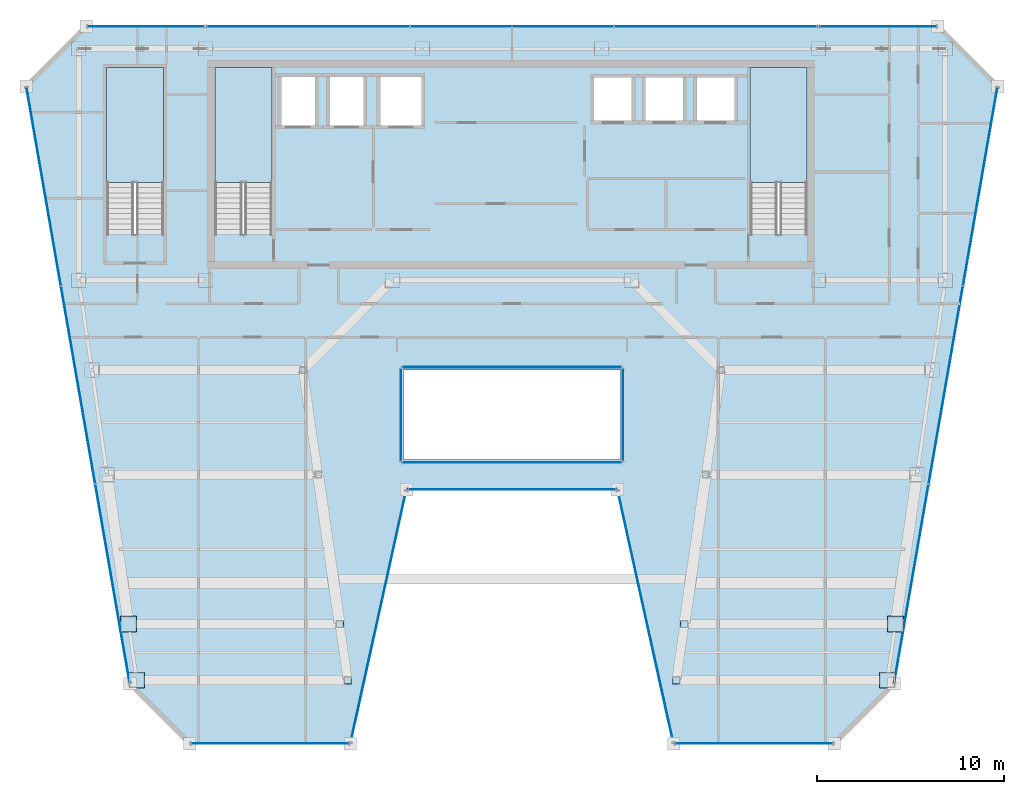
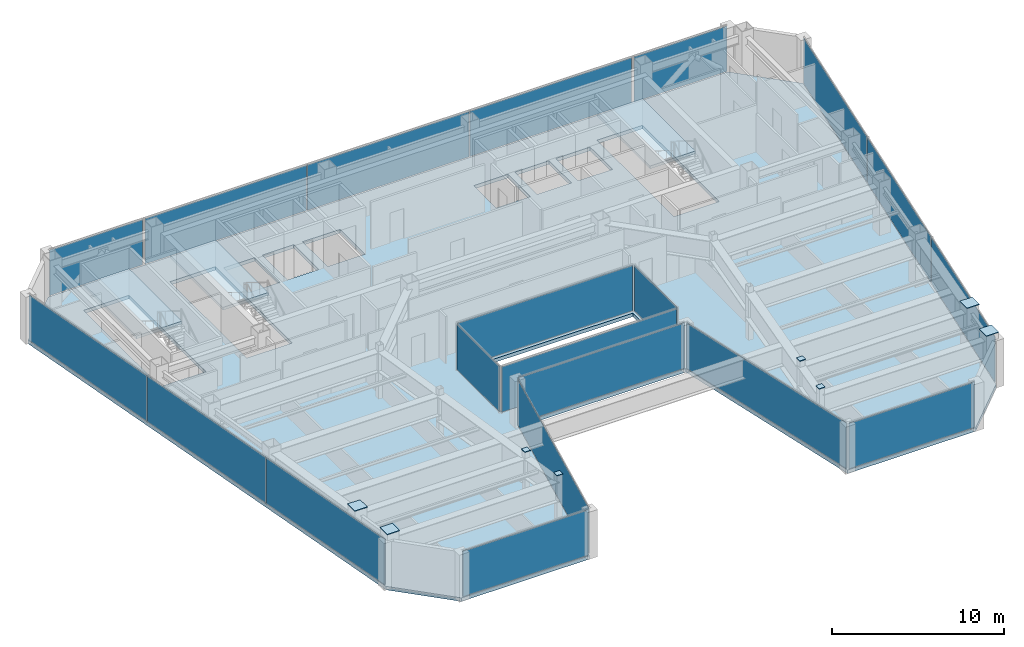
# One storey, part 26 of 35: 28 plates, 4 slabs, 17 elements without a shape of their own.
"""IFC4 building model written with IfcOpenShell, lengths in metres."""

from ifc_helpers import new_model, si_unit, direction, frame, origin, origin_2d, place, context, subcontext, project, spatial, polyline, rectangle, outline, extrude, material, layer, layer_set, type_object, element, aggregate, save


model = new_model("IFC4")

# Units and contexts
model_context = context("Model", 3, precision=1e-05, world=origin(), true_north=direction((0.0, 1.0)))
body_context = subcontext(model_context, "Body", "Model", "MODEL_VIEW")
ifc_project = project(units=[si_unit("LENGTHUNIT", "METRE"), si_unit("AREAUNIT", "SQUARE_METRE"), si_unit("VOLUMEUNIT", "CUBIC_METRE"), si_unit("PLANEANGLEUNIT", "RADIAN"), si_unit("MASSUNIT", "GRAM", prefix="KILO")], contexts=[model_context])

# Site, building, storey
site_placement = place(None, origin())
site = spatial("IfcSite", under=ifc_project, at=site_placement, CompositionType="ELEMENT")
building_placement = place(site_placement, origin())
building = spatial("IfcBuilding", under=site, at=building_placement, Name="Saevonmaru Cultural Tower", CompositionType="ELEMENT")
storey_placement = place(building_placement, frame((0.0, 0.0, 249.60009765625)))
storey = spatial("IfcBuildingStorey", under=building, at=storey_placement, Name="L58", CompositionType="ELEMENT", Elevation=249.60009765625)

# Plates
ifc_material_1 = material(Name="Steel HSA600 (600 MPa)", Category="steel")
ifc_layer_1 = layer(ifc_material_1, 0.0400390625, Name="Steel HSA600 (600 MPa)")
ifc_layer_set_1 = layer_set([ifc_layer_1], Name="Steel HSA600 (600 MPa)")
plate_type_1 = type_object("IfcPlateType", Name="PL-CAP-350", PredefinedType="USERDEFINED", material=ifc_layer_set_1)
for number, where, z_axis, x_axis, name in (
    (1, (38.7939453125, 21.0, 3.794921875), (0.0, 0.0, 1.0), (1.0, 0.0, 0.0), "Column head cap plate TC-EI-Y210 L58"),
    (2, (39.22802734375, 24.0, 3.794921875), (0.0, 0.0, 1.0), (1.0, 0.0, 0.0), "Column head cap plate TC-EI-Y240 L58"),
    (3, (21.2060546875, 21.0, 3.794921875), (0.0, 0.0, 1.0), (1.0, 0.0, 0.0), "Column head cap plate TC-WI-Y210 L58"),
    (4, (20.77197265625, 24.0, 3.794921875), (0.0, 0.0, 1.0), (1.0, 0.0, 0.0), "Column head cap plate TC-WI-Y240 L58"),
):
    element("IfcPlate", number, at=place(storey_placement, frame(where, z_axis=z_axis, x_axis=x_axis)), inside=storey, type_object=plate_type_1, Name=name, ObjectType="CAP_PLATE", PredefinedType="USERDEFINED", context=body_context, shape_type="SweptSolid", body=[
        extrude(rectangle(XDim=0.389892578125, YDim=0.389892578125, at=origin_2d()), origin(), (0.0, 0.0, 1.0), 0.0400390625),
    ])
ifc_layer_2 = layer(ifc_material_1, 0.0400390625, Name="Steel HSA600 (600 MPa)")
ifc_layer_set_2 = layer_set([ifc_layer_2], Name="Steel HSA600 (600 MPa)")
plate_type_2 = type_object("IfcPlateType", Name="PL-CAP-800", PredefinedType="USERDEFINED", material=ifc_layer_set_2)
for number, where, z_axis, x_axis, name in (
    (5, (50.093994140625, 21.0, 3.794921875), (0.0, 0.0, 1.0), (1.0, 0.0, 0.0), "Column head cap plate TC-EO-Y210 L58"),
    (6, (50.528076171875, 24.0, 3.794921875), (0.0, 0.0, 1.0), (1.0, 0.0, 0.0), "Column head cap plate TC-EO-Y240 L58"),
    (7, (9.906005859375, 21.0, 3.794921875), (0.0, 0.0, 1.0), (1.0, 0.0, 0.0), "Column head cap plate TC-WO-Y210 L58"),
    (8, (9.471923828125, 24.0, 3.794921875), (0.0, 0.0, 1.0), (1.0, 0.0, 0.0), "Column head cap plate TC-WO-Y240 L58"),
):
    element("IfcPlate", number, at=place(storey_placement, frame(where, z_axis=z_axis, x_axis=x_axis)), inside=storey, type_object=plate_type_2, Name=name, ObjectType="CAP_PLATE", PredefinedType="USERDEFINED", context=body_context, shape_type="SweptSolid", body=[
        extrude(rectangle(XDim=0.840087890625, YDim=0.840087890625, at=origin_2d()), origin(), (0.0, 0.0, 1.0), 0.0400390625),
    ])

# Curtain wall, plate
ifc_material_2 = material(Name="Satin Bronze Anodised Aluminium", Category="aluminium")
curtain_wall_type_1 = type_object("IfcCurtainWallType", Name="CW-ATR-GLZ", PredefinedType="NOTDEFINED", material=ifc_material_2)
curtain_wall_1_placement = place(storey_placement, origin())
curtain_wall_1 = element("IfcCurtainWall", 9, at=curtain_wall_1_placement, inside=storey, type_object=curtain_wall_type_1, Name="L58 Vertical Atrium Glazed Smoke Screen 1", PredefinedType="NOTDEFINED")
ifc_material_3 = material(Name="Fire-Rated Laminated Atrium Glass", Category="glass")
ifc_layer_3 = layer(ifc_material_3, 0.031982421875, Name="Fire-Rated Laminated Atrium Glass")
ifc_layer_set_3 = layer_set([ifc_layer_3], Name="Fire-Rated Laminated Atrium Glass")
plate_type_3 = type_object("IfcPlateType", Name="PN-GLZ-ATR-INT", PredefinedType="CURTAIN_PANEL", material=ifc_layer_set_3)
plate_1_placement = place(storey_placement, frame((30.0, 32.64990234375, 0.06689453125), z_axis=(0.0, 0.0, 1.0), x_axis=(1.0, 0.0, 0.0)))
plate_1 = element("IfcPlate", 10, at=plate_1_placement, type_object=plate_type_3, Name="CW-ATR-L58-1 panel 1.1", PredefinedType="CURTAIN_PANEL", context=body_context, shape_type="SweptSolid", body=[
    extrude(rectangle(XDim=11.7109375, YDim=0.031982421875, at=origin_2d()), origin(), (0.0, 0.0, 1.0), 3.216064453125),
])
aggregate(curtain_wall_1, [plate_1])

curtain_wall_2_placement = place(storey_placement, origin())
curtain_wall_2 = element("IfcCurtainWall", 11, at=curtain_wall_2_placement, inside=storey, type_object=curtain_wall_type_1, Name="L58 Vertical Atrium Glazed Smoke Screen 2", PredefinedType="NOTDEFINED")
plate_2_placement = place(storey_placement, frame((35.949951171875, 35.199951171875, 0.06689453125), z_axis=(0.0, 0.0, 1.0), x_axis=(0.0, 1.0, 0.0)))
plate_2 = element("IfcPlate", 12, at=plate_2_placement, type_object=plate_type_3, Name="CW-ATR-L58-2 panel 1.1", PredefinedType="CURTAIN_PANEL", context=body_context, shape_type="SweptSolid", body=[
    extrude(rectangle(XDim=4.910888671875, YDim=0.031982421875, at=origin_2d()), origin(), (0.0, 0.0, 1.0), 3.216064453125),
])
aggregate(curtain_wall_2, [plate_2])

curtain_wall_3_placement = place(storey_placement, origin())
curtain_wall_3 = element("IfcCurtainWall", 13, at=curtain_wall_3_placement, inside=storey, type_object=curtain_wall_type_1, Name="L58 Vertical Atrium Glazed Smoke Screen 3", PredefinedType="NOTDEFINED")
plate_3_placement = place(storey_placement, frame((30.0, 37.75, 0.06689453125), z_axis=(0.0, 0.0, 1.0), x_axis=(-1.0, 0.0, 0.0)))
plate_3 = element("IfcPlate", 14, at=plate_3_placement, type_object=plate_type_3, Name="CW-ATR-L58-3 panel 1.1", PredefinedType="CURTAIN_PANEL", context=body_context, shape_type="SweptSolid", body=[
    extrude(rectangle(XDim=11.7109375, YDim=0.031982421875, at=origin_2d()), origin(), (0.0, 0.0, 1.0), 3.216064453125),
])
aggregate(curtain_wall_3, [plate_3])

curtain_wall_4_placement = place(storey_placement, origin())
curtain_wall_4 = element("IfcCurtainWall", 15, at=curtain_wall_4_placement, inside=storey, type_object=curtain_wall_type_1, Name="L58 Vertical Atrium Glazed Smoke Screen 4", PredefinedType="NOTDEFINED")
plate_4_placement = place(storey_placement, frame((24.050048828125, 35.199951171875, 0.06689453125), z_axis=(0.0, 0.0, 1.0), x_axis=(0.0, -1.0, 0.0)))
plate_4 = element("IfcPlate", 16, at=plate_4_placement, type_object=plate_type_3, Name="CW-ATR-L58-4 panel 1.1", PredefinedType="CURTAIN_PANEL", context=body_context, shape_type="SweptSolid", body=[
    extrude(rectangle(XDim=4.910888671875, YDim=0.031982421875, at=origin_2d()), origin(), (0.0, 0.0, 1.0), 3.216064453125),
])
aggregate(curtain_wall_4, [plate_4])

curtain_wall_type_2 = type_object("IfcCurtainWallType", Name="CW-TYP-B", PredefinedType="NOTDEFINED", material=ifc_material_2)
curtain_wall_5_placement = place(storey_placement, origin())
curtain_wall_5 = element("IfcCurtainWall", 17, at=curtain_wall_5_placement, inside=storey, type_object=curtain_wall_type_2, Name="L58 Unitised Curtain Wall E2", PredefinedType="NOTDEFINED")
ifc_material_4 = material(Name="Triple Silver Low-E Insulating Glass", Category="glass")
ifc_layer_4 = layer(ifc_material_4, 0.035888671875, Name="Triple Silver Low-E Insulating Glass")
ifc_layer_set_4 = layer_set([ifc_layer_4], Name="Triple Silver Low-E Insulating Glass")
plate_type_4 = type_object("IfcPlateType", Name="PN-GLZ-IGU", PredefinedType="CURTAIN_PANEL", material=ifc_layer_set_4)
plate_5_placement = place(storey_placement, frame((17.046630859375, 17.60009765625, 0.06689453125), z_axis=(0.0, 0.0, 1.0), x_axis=(1.0, 0.0, 0.0)))
plate_5 = element("IfcPlate", 18, at=plate_5_placement, type_object=plate_type_4, Name="CW-TW-L58-E2 panel 1.1", PredefinedType="CURTAIN_PANEL", context=body_context, shape_type="SweptSolid", body=[
    extrude(rectangle(XDim=8.410888671875, YDim=0.035888671875, at=origin_2d()), origin(), (0.0, 0.0, 1.0), 3.216064453125),
])
aggregate(curtain_wall_5, [plate_5])

curtain_wall_6_placement = place(storey_placement, origin())
curtain_wall_6 = element("IfcCurtainWall", 19, at=curtain_wall_6_placement, inside=storey, type_object=curtain_wall_type_2, Name="L58 Unitised Curtain Wall E3", PredefinedType="NOTDEFINED")
plate_6_placement = place(storey_placement, frame((22.8466796875, 24.39990234375, 0.06689453125), z_axis=(0.0, 0.0, 1.0), x_axis=(0.215413319953, 0.976522965212, 0.0)))
plate_6 = element("IfcPlate", 20, at=plate_6_placement, type_object=plate_type_4, Name="CW-TW-L58-E3 panel 1.1", PredefinedType="CURTAIN_PANEL", context=body_context, shape_type="SweptSolid", body=[
    extrude(rectangle(XDim=13.738037109375, YDim=0.035888671875, at=origin_2d()), origin(), (0.0, 0.0, 1.0), 3.216064453125),
])
aggregate(curtain_wall_6, [plate_6])

curtain_wall_7_placement = place(storey_placement, origin())
curtain_wall_7 = element("IfcCurtainWall", 21, at=curtain_wall_7_placement, inside=storey, type_object=curtain_wall_type_2, Name="L58 Unitised Curtain Wall E4", PredefinedType="NOTDEFINED")
plate_7_placement = place(storey_placement, frame((30.0, 31.199951171875, 0.06689453125), z_axis=(0.0, 0.0, 1.0), x_axis=(1.0, 0.0, 0.0)))
plate_7 = element("IfcPlate", 22, at=plate_7_placement, type_object=plate_type_4, Name="CW-TW-L58-E4 panel 1.1", PredefinedType="CURTAIN_PANEL", context=body_context, shape_type="SweptSolid", body=[
    extrude(rectangle(XDim=11.11767578125, YDim=0.035888671875, at=origin_2d()), origin(), (0.0, 0.0, 1.0), 3.216064453125),
])
aggregate(curtain_wall_7, [plate_7])

curtain_wall_8_placement = place(storey_placement, origin())
curtain_wall_8 = element("IfcCurtainWall", 23, at=curtain_wall_8_placement, inside=storey, type_object=curtain_wall_type_2, Name="L58 Unitised Curtain Wall E5", PredefinedType="NOTDEFINED")
plate_8_placement = place(storey_placement, frame((37.1533203125, 24.39990234375, 0.06689453125), z_axis=(0.0, 0.0, 1.0), x_axis=(0.215413319953, -0.976522965212, 0.0)))
plate_8 = element("IfcPlate", 24, at=plate_8_placement, type_object=plate_type_4, Name="CW-TW-L58-E5 panel 1.1", PredefinedType="CURTAIN_PANEL", context=body_context, shape_type="SweptSolid", body=[
    extrude(rectangle(XDim=13.738037109375, YDim=0.035888671875, at=origin_2d()), origin(), (0.0, 0.0, 1.0), 3.216064453125),
])
aggregate(curtain_wall_8, [plate_8])

curtain_wall_9_placement = place(storey_placement, origin())
curtain_wall_9 = element("IfcCurtainWall", 25, at=curtain_wall_9_placement, inside=storey, type_object=curtain_wall_type_2, Name="L58 Unitised Curtain Wall E6", PredefinedType="NOTDEFINED")
plate_9_placement = place(storey_placement, frame((42.953369140625, 17.60009765625, 0.06689453125), z_axis=(0.0, 0.0, 1.0), x_axis=(1.0, 0.0, 0.0)))
plate_9 = element("IfcPlate", 26, at=plate_9_placement, type_object=plate_type_4, Name="CW-TW-L58-E6 panel 1.1", PredefinedType="CURTAIN_PANEL", context=body_context, shape_type="SweptSolid", body=[
    extrude(rectangle(XDim=8.410888671875, YDim=0.035888671875, at=origin_2d()), origin(), (0.0, 0.0, 1.0), 3.216064453125),
])
aggregate(curtain_wall_9, [plate_9])

# Curtain wall, plates
curtain_wall_10_placement = place(storey_placement, origin())
curtain_wall_10 = element("IfcCurtainWall", 27, at=curtain_wall_10_placement, inside=storey, type_object=curtain_wall_type_2, Name="L58 Unitised Curtain Wall E8", PredefinedType="NOTDEFINED")
plate_10_placement = place(storey_placement, frame((51.384521484375, 26.1728515625, 0.06689453125), z_axis=(0.0, 0.0, 1.0), x_axis=(0.170790369887, 0.985307388359, 0.0)))
plate_10 = element("IfcPlate", 28, at=plate_10_placement, type_object=plate_type_4, Name="CW-TW-L58-E8 panel 1.1", PredefinedType="CURTAIN_PANEL", context=body_context, shape_type="SweptSolid", body=[
    extrude(rectangle(XDim=10.716796875, YDim=0.035888671875, at=origin_2d()), origin(), (0.0, 0.0, 1.0), 3.216064453125),
])
plate_11_placement = place(storey_placement, frame((53.2265625, 36.800048828125, 0.06689453125), z_axis=(0.0, 0.0, 1.0), x_axis=(0.170790369887, 0.985307388359, 0.0)))
plate_11 = element("IfcPlate", 29, at=plate_11_placement, type_object=plate_type_4, Name="CW-TW-L58-E8 panel 2.1", PredefinedType="CURTAIN_PANEL", context=body_context, shape_type="SweptSolid", body=[
    extrude(rectangle(XDim=10.716796875, YDim=0.035888671875, at=origin_2d()), origin(), (0.0, 0.0, 1.0), 3.216064453125),
])
plate_12_placement = place(storey_placement, frame((55.06884765625, 47.42724609375, 0.06689453125), z_axis=(0.0, 0.0, 1.0), x_axis=(0.170790369887, 0.985307388359, 0.0)))
plate_12 = element("IfcPlate", 30, at=plate_12_placement, type_object=plate_type_4, Name="CW-TW-L58-E8 panel 3.1", PredefinedType="CURTAIN_PANEL", context=body_context, shape_type="SweptSolid", body=[
    extrude(rectangle(XDim=10.716796875, YDim=0.035888671875, at=origin_2d()), origin(), (0.0, 0.0, 1.0), 3.216064453125),
])
aggregate(curtain_wall_10, [plate_10, plate_11, plate_12])

curtain_wall_11_placement = place(storey_placement, origin())
curtain_wall_11 = element("IfcCurtainWall", 31, at=curtain_wall_11_placement, inside=storey, type_object=curtain_wall_type_2, Name="L58 North Spine Unitised Curtain Wall E10B", PredefinedType="NOTDEFINED")
plate_13_placement = place(storey_placement, frame((40.893310546875, 56.0, 0.06689453125), z_axis=(0.0, 0.0, 1.0), x_axis=(-1.0, 0.0, 0.0)))
plate_13 = element("IfcPlate", 32, at=plate_13_placement, type_object=plate_type_4, Name="CW-TW-L58-E10B panel 1.1", PredefinedType="CURTAIN_PANEL", context=body_context, shape_type="SweptSolid", body=[
    extrude(rectangle(XDim=10.82421875, YDim=0.035888671875, at=origin_2d()), origin(), (0.0, 0.0, 1.0), 3.216064453125),
])
plate_14_placement = place(storey_placement, frame((30.0, 56.0, 0.06689453125), z_axis=(0.0, 0.0, 1.0), x_axis=(-1.0, 0.0, 0.0)))
plate_14 = element("IfcPlate", 33, at=plate_14_placement, type_object=plate_type_4, Name="CW-TW-L58-E10B panel 2.1", PredefinedType="CURTAIN_PANEL", context=body_context, shape_type="SweptSolid", body=[
    extrude(rectangle(XDim=10.82421875, YDim=0.035888671875, at=origin_2d()), origin(), (0.0, 0.0, 1.0), 3.216064453125),
])
plate_15_placement = place(storey_placement, frame((19.106689453125, 56.0, 0.06689453125), z_axis=(0.0, 0.0, 1.0), x_axis=(-1.0, 0.0, 0.0)))
plate_15 = element("IfcPlate", 34, at=plate_15_placement, type_object=plate_type_4, Name="CW-TW-L58-E10B panel 3.1", PredefinedType="CURTAIN_PANEL", context=body_context, shape_type="SweptSolid", body=[
    extrude(rectangle(XDim=10.82421875, YDim=0.035888671875, at=origin_2d()), origin(), (0.0, 0.0, 1.0), 3.216064453125),
])
aggregate(curtain_wall_11, [plate_13, plate_14, plate_15])

curtain_wall_12_placement = place(storey_placement, origin())
curtain_wall_12 = element("IfcCurtainWall", 35, at=curtain_wall_12_placement, inside=storey, type_object=curtain_wall_type_2, Name="L58 Unitised Curtain Wall E12", PredefinedType="NOTDEFINED")
plate_16_placement = place(storey_placement, frame((4.93115234375, 47.42724609375, 0.06689453125), z_axis=(0.0, 0.0, 1.0), x_axis=(0.170790369887, -0.985307388359, 0.0)))
plate_16 = element("IfcPlate", 36, at=plate_16_placement, type_object=plate_type_4, Name="CW-TW-L58-E12 panel 1.1", PredefinedType="CURTAIN_PANEL", context=body_context, shape_type="SweptSolid", body=[
    extrude(rectangle(XDim=10.716796875, YDim=0.035888671875, at=origin_2d()), origin(), (0.0, 0.0, 1.0), 3.216064453125),
])
plate_17_placement = place(storey_placement, frame((6.7734375, 36.800048828125, 0.06689453125), z_axis=(0.0, 0.0, 1.0), x_axis=(0.170790369887, -0.985307388359, 0.0)))
plate_17 = element("IfcPlate", 37, at=plate_17_placement, type_object=plate_type_4, Name="CW-TW-L58-E12 panel 2.1", PredefinedType="CURTAIN_PANEL", context=body_context, shape_type="SweptSolid", body=[
    extrude(rectangle(XDim=10.716796875, YDim=0.035888671875, at=origin_2d()), origin(), (0.0, 0.0, 1.0), 3.216064453125),
])
plate_18_placement = place(storey_placement, frame((8.615478515625, 26.1728515625, 0.06689453125), z_axis=(0.0, 0.0, 1.0), x_axis=(0.170790369887, -0.985307388359, 0.0)))
plate_18 = element("IfcPlate", 38, at=plate_18_placement, type_object=plate_type_4, Name="CW-TW-L58-E12 panel 3.1", PredefinedType="CURTAIN_PANEL", context=body_context, shape_type="SweptSolid", body=[
    extrude(rectangle(XDim=10.716796875, YDim=0.035888671875, at=origin_2d()), origin(), (0.0, 0.0, 1.0), 3.216064453125),
])
aggregate(curtain_wall_12, [plate_16, plate_17, plate_18])

# Curtain wall, plate
curtain_wall_13_placement = place(storey_placement, origin())
curtain_wall_13 = element("IfcCurtainWall", 39, at=curtain_wall_13_placement, inside=storey, type_object=curtain_wall_type_2, Name="L58 East Braced Bay Spandrel Curtain Wall E10A", PredefinedType="NOTDEFINED")
ifc_material_5 = material(Name="Insulated Satin Bronze Aluminium Spandrel Panel", Category="aluminium")
ifc_layer_5 = layer(ifc_material_5, 0.0400390625, Name="Insulated Satin Bronze Aluminium Spandrel Panel")
ifc_layer_set_5 = layer_set([ifc_layer_5], Name="Insulated Satin Bronze Aluminium Spandrel Panel")
plate_type_5 = type_object("IfcPlateType", Name="PN-SPANDREL-BRONZE", PredefinedType="CURTAIN_PANEL", material=ifc_layer_set_5)
plate_19_placement = place(storey_placement, frame((49.60009765625, 56.0, 0.06689453125), z_axis=(0.0, 0.0, 1.0), x_axis=(-1.0, 0.0, 0.0)))
plate_19 = element("IfcPlate", 40, at=plate_19_placement, type_object=plate_type_5, Name="CW-TW-L58-E10A panel 1.1", PredefinedType="CURTAIN_PANEL", context=body_context, shape_type="SweptSolid", body=[
    extrude(rectangle(XDim=6.2109375, YDim=0.035888671875, at=origin_2d()), origin(), (0.0, 0.0, 1.0), 3.216064453125),
])
aggregate(curtain_wall_13, [plate_19])

curtain_wall_14_placement = place(storey_placement, origin())
curtain_wall_14 = element("IfcCurtainWall", 41, at=curtain_wall_14_placement, inside=storey, type_object=curtain_wall_type_2, Name="L58 West Braced Bay Spandrel Curtain Wall E10C", PredefinedType="NOTDEFINED")
plate_20_placement = place(storey_placement, frame((10.39990234375, 56.0, 0.06689453125), z_axis=(0.0, 0.0, 1.0), x_axis=(-1.0, 0.0, 0.0)))
plate_20 = element("IfcPlate", 42, at=plate_20_placement, type_object=plate_type_5, Name="CW-TW-L58-E10C panel 1.1", PredefinedType="CURTAIN_PANEL", context=body_context, shape_type="SweptSolid", body=[
    extrude(rectangle(XDim=6.2109375, YDim=0.035888671875, at=origin_2d()), origin(), (0.0, 0.0, 1.0), 3.216064453125),
])
aggregate(curtain_wall_14, [plate_20])

# Slab
ifc_material_6 = material(Name="Concrete C40/50", Category="concrete")
ifc_layer_6 = layer(ifc_material_6, 0.25, Name="Concrete C40/50")
ifc_layer_set_6 = layer_set([ifc_layer_6], Name="Concrete C40/50")
slab_type_1 = type_object("IfcSlabType", Name="SL-FLR-250", PredefinedType="FLOOR", material=ifc_layer_set_6)
slab_1_placement = place(storey_placement, frame((0.0, 0.0, -0.25)))
element("IfcSlab", 43, at=slab_1_placement, inside=storey, type_object=slab_type_1, Name="L58 Tower Structural Floor Slab", PredefinedType="FLOOR", context=body_context, shape_type="SweptSolid", body=[
    extrude(outline(polyline([(9.546630859375, 20.800048828125), (12.74658203125, 17.60009765625), (21.3466796875, 17.60009765625), (24.3466796875, 31.199951171875), (35.6533203125, 31.199951171875), (38.6533203125, 17.60009765625), (47.25341796875, 17.60009765625), (50.453369140625, 20.800048828125), (56.0, 52.800048828125), (52.800048828125, 56.0), (7.199951171875, 56.0), (4.0, 52.800048828125), (9.546630859375, 20.800048828125)]), holes=[polyline([(45.800048828125, 44.875), (42.75, 44.875), (42.75, 53.800048828125), (45.800048828125, 53.800048828125), (45.800048828125, 44.875)]), polyline([(39.75, 50.800048828125), (39.75, 53.39990234375), (42.050048828125, 53.39990234375), (42.050048828125, 50.800048828125), (39.75, 50.800048828125)]), polyline([(37.0, 50.800048828125), (37.0, 53.39990234375), (39.300048828125, 53.39990234375), (39.300048828125, 50.800048828125), (37.0, 50.800048828125)]), polyline([(36.550048828125, 50.800048828125), (34.25, 50.800048828125), (34.25, 53.39990234375), (36.550048828125, 53.39990234375), (36.550048828125, 50.800048828125)]), polyline([(35.800048828125, 32.800048828125), (24.199951171875, 32.800048828125), (24.199951171875, 37.60009765625), (35.800048828125, 37.60009765625), (35.800048828125, 32.800048828125)]), polyline([(25.300048828125, 50.550048828125), (22.800048828125, 50.550048828125), (22.800048828125, 53.449951171875), (25.300048828125, 53.449951171875), (25.300048828125, 50.550048828125)]), polyline([(22.199951171875, 50.550048828125), (20.10009765625, 50.550048828125), (20.10009765625, 53.449951171875), (22.199951171875, 53.449951171875), (22.199951171875, 50.550048828125)]), polyline([(17.5, 50.550048828125), (17.5, 53.449951171875), (19.60009765625, 53.449951171875), (19.60009765625, 50.550048828125), (17.5, 50.550048828125)]), polyline([(17.14990234375, 53.800048828125), (17.14990234375, 44.875), (14.10009765625, 44.875), (14.10009765625, 53.800048828125), (17.14990234375, 53.800048828125)]), polyline([(11.35009765625, 53.800048828125), (11.35009765625, 44.875), (8.300048828125, 44.875), (8.300048828125, 53.800048828125), (11.35009765625, 53.800048828125)])]), origin(), (0.0, 0.0, 1.0), 0.25),
])

# Stair, slab
stair_type = type_object("IfcStairType", Name="STR-DOGLEG-RC", PredefinedType="HALF_TURN_STAIR", material=ifc_material_6)
stair_1_placement = place(storey_placement, origin())
stair_1 = element("IfcStair", 44, at=stair_1_placement, inside=storey, type_object=stair_type, Name="L58 Protected exit stair ST-1", PredefinedType="HALF_TURN_STAIR")
ifc_layer_7 = layer(ifc_material_6, 0.199951171875, Name="Concrete C40/50")
ifc_layer_set_7 = layer_set([ifc_layer_7], Name="Concrete C40/50")
slab_type_2 = type_object("IfcSlabType", Name="SL-STAIR-LANDING", PredefinedType="LANDING", material=ifc_layer_set_7)
slab_2_placement = place(storey_placement, frame((0.0, 0.0, 1.699951171875)))
slab_2 = element("IfcSlab", 45, at=slab_2_placement, type_object=slab_type_2, Name="ST-1-L58 landing 1", PredefinedType="LANDING", context=body_context, shape_type="SweptSolid", body=[
    extrude(outline(polyline([(17.14990234375, 47.64990234375), (17.14990234375, 53.800048828125), (14.10009765625, 53.800048828125), (14.10009765625, 47.64990234375), (17.14990234375, 47.64990234375)])), origin(), (0.0, 0.0, 1.0), 0.199951171875),
])
aggregate(stair_1, [slab_2])

stair_2_placement = place(storey_placement, origin())
stair_2 = element("IfcStair", 46, at=stair_2_placement, inside=storey, type_object=stair_type, Name="L58 Protected exit stair ST-2", PredefinedType="HALF_TURN_STAIR")
slab_3_placement = place(storey_placement, frame((0.0, 0.0, 1.699951171875)))
slab_3 = element("IfcSlab", 47, at=slab_3_placement, type_object=slab_type_2, Name="ST-2-L58 landing 1", PredefinedType="LANDING", context=body_context, shape_type="SweptSolid", body=[
    extrude(outline(polyline([(45.800048828125, 47.64990234375), (45.800048828125, 53.800048828125), (42.75, 53.800048828125), (42.75, 47.64990234375), (45.800048828125, 47.64990234375)])), origin(), (0.0, 0.0, 1.0), 0.199951171875),
])
aggregate(stair_2, [slab_3])

stair_3_placement = place(storey_placement, origin())
stair_3 = element("IfcStair", 48, at=stair_3_placement, inside=storey, type_object=stair_type, Name="L58 Protected exit stair ST-3", PredefinedType="HALF_TURN_STAIR")
slab_4_placement = place(storey_placement, frame((0.0, 0.0, 1.699951171875)))
slab_4 = element("IfcSlab", 49, at=slab_4_placement, type_object=slab_type_2, Name="ST-3-L58 landing 1", PredefinedType="LANDING", context=body_context, shape_type="SweptSolid", body=[
    extrude(outline(polyline([(11.35009765625, 47.64990234375), (11.35009765625, 53.800048828125), (8.300048828125, 53.800048828125), (8.300048828125, 47.64990234375), (11.35009765625, 47.64990234375)])), origin(), (0.0, 0.0, 1.0), 0.199951171875),
])
aggregate(stair_3, [slab_4])

save(model, "model.ifc")
